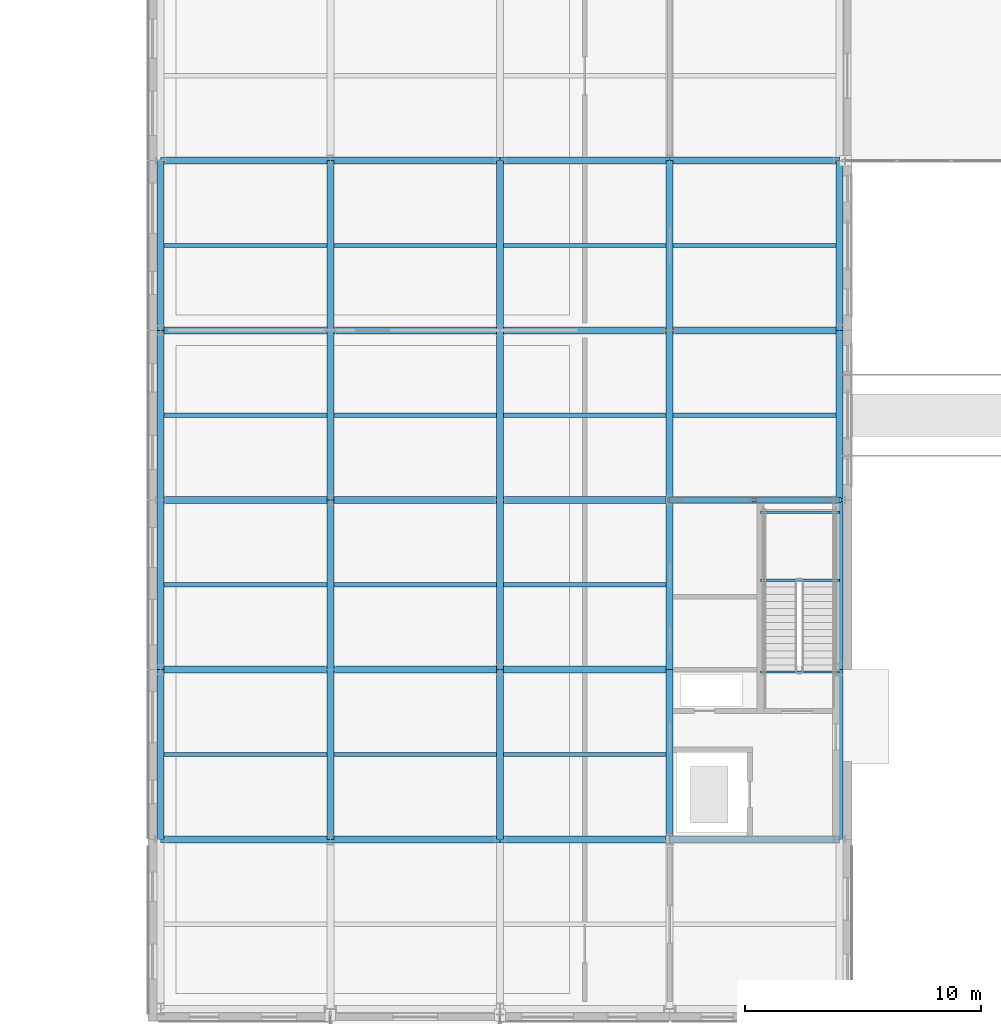
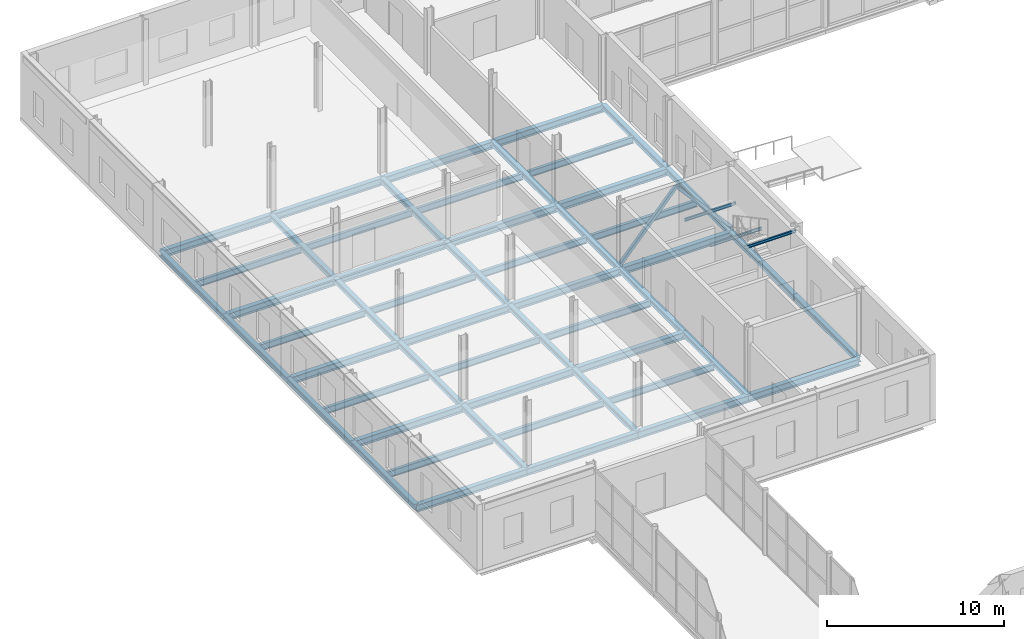
# One storey, part 31 of 92: 56 beams, 2 members.
"""IFC4 building model written with IfcOpenShell, lengths in metres."""

from ifc_helpers import new_model, si_unit, direction, frame, origin, origin_2d, place, context, subcontext, project, spatial, hollow_rectangle, i_section, extrude, material, material_profile, profile_set, type_object, element, save


model = new_model("IFC4")

# Units and contexts
model_context = context("Model", 3, precision=1e-05, world=origin(), true_north=direction((0.0, 1.0)))
body_context = subcontext(model_context, "Body", "Model", "MODEL_VIEW")
ifc_project = project(units=[si_unit("LENGTHUNIT", "METRE"), si_unit("AREAUNIT", "SQUARE_METRE"), si_unit("VOLUMEUNIT", "CUBIC_METRE"), si_unit("PLANEANGLEUNIT", "RADIAN"), si_unit("MASSUNIT", "GRAM", prefix="KILO")], contexts=[model_context])

# Site, building, storey
site_placement = place(None, origin())
site = spatial("IfcSite", under=ifc_project, at=site_placement, CompositionType="ELEMENT")
building_placement = place(site_placement, origin())
building = spatial("IfcBuilding", under=site, at=building_placement, Name="Zlatovets Crest Museum", CompositionType="ELEMENT")
storey_placement = place(building_placement, origin())
storey = spatial("IfcBuildingStorey", under=building, at=storey_placement, Name="L00", CompositionType="ELEMENT", Elevation=0.0)

# Beams
ifc_material = material(Name="Structural steel S355J2", Category="steel")
ifc_material_profile_1 = material_profile(ifc_material, i_section(OverallWidth=0.300048828125, OverallDepth=0.489990234375, WebThickness=0.011962890625, FlangeThickness=0.02294921875, FilletRadius=0.027099609375, at=origin_2d()), Name="HEA 500")
ifc_profile_set_1 = profile_set([ifc_material_profile_1], Name="Structural steel S355J2")
beam_type_1 = type_object("IfcBeamType", Name="Beam_B-01", PredefinedType="BEAM", material=ifc_profile_set_1)
beam_1_placement = place(storey_placement, frame((7.199951171875, 57.60009765625, -0.4951171875), z_axis=(1.0, 0.0, 0.0), x_axis=(0.0, 1.0, 0.0)))
element("IfcBeam", 1, at=beam_1_placement, inside=storey, type_object=beam_type_1, Name="V4 L00 Primary Girder B-01", PredefinedType="BEAM", context=body_context, shape_type="SweptSolid", body=[
    extrude(i_section(OverallWidth=0.300048828125, OverallDepth=0.489990234375, WebThickness=0.011962890625, FlangeThickness=0.02294921875, FilletRadius=0.027099609375, at=origin_2d()), origin(), (0.0, 0.0, 1.0), 7.199951171875),
])
beam_2_placement = place(storey_placement, frame((14.39990234375, 57.60009765625, -0.4951171875), z_axis=(1.0, 0.0, 0.0), x_axis=(0.0, 1.0, 0.0)))
element("IfcBeam", 2, at=beam_2_placement, inside=storey, type_object=beam_type_1, Name="V4 L00 Primary Girder B-01", PredefinedType="BEAM", context=body_context, shape_type="SweptSolid", body=[
    extrude(i_section(OverallWidth=0.300048828125, OverallDepth=0.489990234375, WebThickness=0.011962890625, FlangeThickness=0.02294921875, FilletRadius=0.027099609375, at=origin_2d()), origin(), (0.0, 0.0, 1.0), 7.2001953125),
])
for number, where, z_axis, x_axis, name in (
    (3, (21.60009765625, 57.60009765625, -0.4951171875), (1.0, 0.0, 0.0), (0.0, 1.0, 0.0), "V4 L00 Primary Girder B-01"),
    (4, (28.800048828125, 57.60009765625, -0.4951171875), (1.0, 0.0, 0.0), (0.0, 1.0, 0.0), "V4 L00 Primary Girder B-01"),
    (5, (7.199951171875, 64.800048828125, -0.4951171875), (1.0, 0.0, 0.0), (0.0, 1.0, 0.0), "V4 L00 Primary Girder B-01"),
):
    element("IfcBeam", number, at=place(storey_placement, frame(where, z_axis=z_axis, x_axis=x_axis)), inside=storey, type_object=beam_type_1, Name=name, PredefinedType="BEAM", context=body_context, shape_type="SweptSolid", body=[
        extrude(i_section(OverallWidth=0.300048828125, OverallDepth=0.489990234375, WebThickness=0.011962890625, FlangeThickness=0.02294921875, FilletRadius=0.027099609375, at=origin_2d()), origin(), (0.0, 0.0, 1.0), 7.199951171875),
    ])
beam_3_placement = place(storey_placement, frame((14.39990234375, 64.800048828125, -0.4951171875), z_axis=(1.0, 0.0, 0.0), x_axis=(0.0, 1.0, 0.0)))
element("IfcBeam", 6, at=beam_3_placement, inside=storey, type_object=beam_type_1, Name="V4 L00 Primary Girder B-01", PredefinedType="BEAM", context=body_context, shape_type="SweptSolid", body=[
    extrude(i_section(OverallWidth=0.300048828125, OverallDepth=0.489990234375, WebThickness=0.011962890625, FlangeThickness=0.02294921875, FilletRadius=0.027099609375, at=origin_2d()), origin(), (0.0, 0.0, 1.0), 7.2001953125),
])
for number, where, z_axis, x_axis, name in (
    (7, (21.60009765625, 64.800048828125, -0.4951171875), (1.0, 0.0, 0.0), (0.0, 1.0, 0.0), "V4 L00 Primary Girder B-01"),
    (8, (7.199951171875, 72.0, -0.4951171875), (1.0, 0.0, 0.0), (0.0, 1.0, 0.0), "V4 L00 Primary Girder B-01"),
):
    element("IfcBeam", number, at=place(storey_placement, frame(where, z_axis=z_axis, x_axis=x_axis)), inside=storey, type_object=beam_type_1, Name=name, PredefinedType="BEAM", context=body_context, shape_type="SweptSolid", body=[
        extrude(i_section(OverallWidth=0.300048828125, OverallDepth=0.489990234375, WebThickness=0.011962890625, FlangeThickness=0.02294921875, FilletRadius=0.027099609375, at=origin_2d()), origin(), (0.0, 0.0, 1.0), 7.199951171875),
    ])
beam_4_placement = place(storey_placement, frame((14.39990234375, 72.0, -0.4951171875), z_axis=(1.0, 0.0, 0.0), x_axis=(0.0, 1.0, 0.0)))
element("IfcBeam", 9, at=beam_4_placement, inside=storey, type_object=beam_type_1, Name="V4 L00 Primary Girder B-01", PredefinedType="BEAM", context=body_context, shape_type="SweptSolid", body=[
    extrude(i_section(OverallWidth=0.300048828125, OverallDepth=0.489990234375, WebThickness=0.011962890625, FlangeThickness=0.02294921875, FilletRadius=0.027099609375, at=origin_2d()), origin(), (0.0, 0.0, 1.0), 7.2001953125),
])
for number, where, z_axis, x_axis, name in (
    (10, (21.60009765625, 72.0, -0.4951171875), (1.0, 0.0, 0.0), (0.0, 1.0, 0.0), "V4 L00 Primary Girder B-01"),
    (11, (28.800048828125, 72.0, -0.4951171875), (1.0, 0.0, 0.0), (0.0, 1.0, 0.0), "V4 L00 Primary Girder B-01"),
    (12, (7.199951171875, 79.199951171875, -0.4951171875), (1.0, 0.0, 0.0), (0.0, 1.0, 0.0), "V4 L00 Primary Girder B-01"),
):
    element("IfcBeam", number, at=place(storey_placement, frame(where, z_axis=z_axis, x_axis=x_axis)), inside=storey, type_object=beam_type_1, Name=name, PredefinedType="BEAM", context=body_context, shape_type="SweptSolid", body=[
        extrude(i_section(OverallWidth=0.300048828125, OverallDepth=0.489990234375, WebThickness=0.011962890625, FlangeThickness=0.02294921875, FilletRadius=0.027099609375, at=origin_2d()), origin(), (0.0, 0.0, 1.0), 7.199951171875),
    ])
beam_5_placement = place(storey_placement, frame((14.39990234375, 79.199951171875, -0.4951171875), z_axis=(1.0, 0.0, 0.0), x_axis=(0.0, 1.0, 0.0)))
element("IfcBeam", 13, at=beam_5_placement, inside=storey, type_object=beam_type_1, Name="V4 L00 Primary Girder B-01", PredefinedType="BEAM", context=body_context, shape_type="SweptSolid", body=[
    extrude(i_section(OverallWidth=0.300048828125, OverallDepth=0.489990234375, WebThickness=0.011962890625, FlangeThickness=0.02294921875, FilletRadius=0.027099609375, at=origin_2d()), origin(), (0.0, 0.0, 1.0), 7.2001953125),
])
for number, where, z_axis, x_axis, name in (
    (14, (21.60009765625, 79.199951171875, -0.4951171875), (1.0, 0.0, 0.0), (0.0, 1.0, 0.0), "V4 L00 Primary Girder B-01"),
    (15, (28.800048828125, 79.199951171875, -0.4951171875), (1.0, 0.0, 0.0), (0.0, 1.0, 0.0), "V4 L00 Primary Girder B-01"),
    (16, (7.199951171875, 86.39990234375, -0.4951171875), (1.0, 0.0, 0.0), (0.0, 1.0, 0.0), "V4 L00 Primary Girder B-01"),
):
    element("IfcBeam", number, at=place(storey_placement, frame(where, z_axis=z_axis, x_axis=x_axis)), inside=storey, type_object=beam_type_1, Name=name, PredefinedType="BEAM", context=body_context, shape_type="SweptSolid", body=[
        extrude(i_section(OverallWidth=0.300048828125, OverallDepth=0.489990234375, WebThickness=0.011962890625, FlangeThickness=0.02294921875, FilletRadius=0.027099609375, at=origin_2d()), origin(), (0.0, 0.0, 1.0), 7.199951171875),
    ])
beam_6_placement = place(storey_placement, frame((14.39990234375, 86.39990234375, -0.4951171875), z_axis=(1.0, 0.0, 0.0), x_axis=(0.0, 1.0, 0.0)))
element("IfcBeam", 17, at=beam_6_placement, inside=storey, type_object=beam_type_1, Name="V4 L00 Primary Girder B-01", PredefinedType="BEAM", context=body_context, shape_type="SweptSolid", body=[
    extrude(i_section(OverallWidth=0.300048828125, OverallDepth=0.489990234375, WebThickness=0.011962890625, FlangeThickness=0.02294921875, FilletRadius=0.027099609375, at=origin_2d()), origin(), (0.0, 0.0, 1.0), 7.2001953125),
])
for number, where, z_axis, x_axis, name in (
    (18, (21.60009765625, 86.39990234375, -0.4951171875), (1.0, 0.0, 0.0), (0.0, 1.0, 0.0), "V4 L00 Primary Girder B-01"),
    (19, (28.800048828125, 86.39990234375, -0.4951171875), (1.0, 0.0, 0.0), (0.0, 1.0, 0.0), "V4 L00 Primary Girder B-01"),
):
    element("IfcBeam", number, at=place(storey_placement, frame(where, z_axis=z_axis, x_axis=x_axis)), inside=storey, type_object=beam_type_1, Name=name, PredefinedType="BEAM", context=body_context, shape_type="SweptSolid", body=[
        extrude(i_section(OverallWidth=0.300048828125, OverallDepth=0.489990234375, WebThickness=0.011962890625, FlangeThickness=0.02294921875, FilletRadius=0.027099609375, at=origin_2d()), origin(), (0.0, 0.0, 1.0), 7.199951171875),
    ])
ifc_material_profile_2 = material_profile(ifc_material, i_section(OverallWidth=0.300048828125, OverallDepth=0.35009765625, WebThickness=0.010009765625, FlangeThickness=0.017578125, FilletRadius=0.027099609375, at=origin_2d()), Name="HEA 360")
ifc_profile_set_2 = profile_set([ifc_material_profile_2], Name="Structural steel S355J2")
beam_type_2 = type_object("IfcBeamType", Name="Beam_B-03", PredefinedType="BEAM", material=ifc_profile_set_2)
for number, where, z_axis, x_axis, name in (
    (20, (7.199951171875, 57.60009765625, -0.425048828125), (0.0, 1.0, 0.0), (-1.0, 0.0, 0.0), "V4 L00 Grid Beam B-03"),
    (21, (7.199951171875, 64.800048828125, -0.425048828125), (0.0, 1.0, 0.0), (-1.0, 0.0, 0.0), "V4 L00 Grid Beam B-03"),
    (22, (7.199951171875, 72.0, -0.425048828125), (0.0, 1.0, 0.0), (-1.0, 0.0, 0.0), "V4 L00 Grid Beam B-03"),
    (23, (7.199951171875, 79.199951171875, -0.425048828125), (0.0, 1.0, 0.0), (-1.0, 0.0, 0.0), "V4 L00 Grid Beam B-03"),
    (24, (14.39990234375, 57.60009765625, -0.425048828125), (0.0, 1.0, 0.0), (-1.0, 0.0, 0.0), "V4 L00 Grid Beam B-03"),
    (25, (14.39990234375, 64.800048828125, -0.425048828125), (0.0, 1.0, 0.0), (-1.0, 0.0, 0.0), "V4 L00 Grid Beam B-03"),
    (26, (14.39990234375, 72.0, -0.425048828125), (0.0, 1.0, 0.0), (-1.0, 0.0, 0.0), "V4 L00 Grid Beam B-03"),
    (27, (14.39990234375, 79.199951171875, -0.425048828125), (0.0, 1.0, 0.0), (-1.0, 0.0, 0.0), "V4 L00 Grid Beam B-03"),
    (28, (21.60009765625, 57.60009765625, -0.425048828125), (0.0, 1.0, 0.0), (-1.0, 0.0, 0.0), "V4 L00 Grid Beam B-03"),
    (29, (21.60009765625, 64.800048828125, -0.425048828125), (0.0, 1.0, 0.0), (-1.0, 0.0, 0.0), "V4 L00 Grid Beam B-03"),
    (30, (21.60009765625, 72.0, -0.425048828125), (0.0, 1.0, 0.0), (-1.0, 0.0, 0.0), "V4 L00 Grid Beam B-03"),
    (31, (21.60009765625, 79.199951171875, -0.425048828125), (0.0, 1.0, 0.0), (-1.0, 0.0, 0.0), "V4 L00 Grid Beam B-03"),
    (32, (28.800048828125, 57.60009765625, -0.425048828125), (0.0, 1.0, 0.0), (-1.0, 0.0, 0.0), "V4 L00 Grid Beam B-03"),
    (33, (28.800048828125, 64.800048828125, -0.425048828125), (0.0, 1.0, 0.0), (-1.0, 0.0, 0.0), "V4 L00 Grid Beam B-03"),
    (34, (28.800048828125, 72.0, -0.425048828125), (0.0, 1.0, 0.0), (-1.0, 0.0, 0.0), "V4 L00 Grid Beam B-03"),
    (35, (28.800048828125, 79.199951171875, -0.425048828125), (0.0, 1.0, 0.0), (-1.0, 0.0, 0.0), "V4 L00 Grid Beam B-03"),
    (36, (36.0, 57.60009765625, -0.425048828125), (0.0, 1.0, 0.0), (-1.0, 0.0, 0.0), "V4 L00 Grid Beam B-03"),
    (37, (36.0, 64.800048828125, -0.425048828125), (0.0, 1.0, 0.0), (-1.0, 0.0, 0.0), "V4 L00 Grid Beam B-03"),
    (38, (36.0, 72.0, -0.425048828125), (0.0, 1.0, 0.0), (-1.0, 0.0, 0.0), "V4 L00 Grid Beam B-03"),
    (39, (36.0, 79.199951171875, -0.425048828125), (0.0, 1.0, 0.0), (-1.0, 0.0, 0.0), "V4 L00 Grid Beam B-03"),
):
    element("IfcBeam", number, at=place(storey_placement, frame(where, z_axis=z_axis, x_axis=x_axis)), inside=storey, type_object=beam_type_2, Name=name, PredefinedType="BEAM", context=body_context, shape_type="SweptSolid", body=[
        extrude(i_section(OverallWidth=0.300048828125, OverallDepth=0.35009765625, WebThickness=0.010009765625, FlangeThickness=0.017578125, FilletRadius=0.027099609375, at=origin_2d()), origin(), (0.0, 0.0, 1.0), 7.199951171875),
    ])
ifc_material_profile_3 = material_profile(ifc_material, i_section(OverallWidth=0.18994140625, OverallDepth=0.449951171875, WebThickness=0.009521484375, FlangeThickness=0.0146484375, FilletRadius=0.02099609375, at=origin_2d()), Name="IPE 450")
ifc_profile_set_3 = profile_set([ifc_material_profile_3], Name="Structural steel S355J2")
beam_type_3 = type_object("IfcBeamType", Name="Beam_J-05", PredefinedType="JOIST", material=ifc_profile_set_3)
for number, where, z_axis, x_axis, name in (
    (40, (7.35009765625, 61.199951171875, -0.47509765625), (1.0, 0.0, 0.0), (0.0, 1.0, 0.0), "V4 L00 Composite Joist J-05"),
    (41, (7.35009765625, 68.39990234375, -0.47509765625), (1.0, 0.0, 0.0), (0.0, 1.0, 0.0), "V4 L00 Composite Joist J-05"),
    (42, (7.35009765625, 75.60009765625, -0.47509765625), (1.0, 0.0, 0.0), (0.0, 1.0, 0.0), "V4 L00 Composite Joist J-05"),
    (43, (7.35009765625, 82.800048828125, -0.47509765625), (1.0, 0.0, 0.0), (0.0, 1.0, 0.0), "V4 L00 Composite Joist J-05"),
    (44, (14.550048828125, 61.199951171875, -0.47509765625), (1.0, 0.0, 0.0), (0.0, 1.0, 0.0), "V4 L00 Composite Joist J-05"),
    (45, (14.550048828125, 68.39990234375, -0.47509765625), (1.0, 0.0, 0.0), (0.0, 1.0, 0.0), "V4 L00 Composite Joist J-05"),
    (46, (14.550048828125, 75.60009765625, -0.47509765625), (1.0, 0.0, 0.0), (0.0, 1.0, 0.0), "V4 L00 Composite Joist J-05"),
    (47, (14.550048828125, 82.800048828125, -0.47509765625), (1.0, 0.0, 0.0), (0.0, 1.0, 0.0), "V4 L00 Composite Joist J-05"),
    (48, (21.75, 61.199951171875, -0.47509765625), (1.0, 0.0, 0.0), (0.0, 1.0, 0.0), "V4 L00 Composite Joist J-05"),
    (49, (21.75, 68.39990234375, -0.47509765625), (1.0, 0.0, 0.0), (0.0, 1.0, 0.0), "V4 L00 Composite Joist J-05"),
    (50, (21.75, 75.60009765625, -0.47509765625), (1.0, 0.0, 0.0), (0.0, 1.0, 0.0), "V4 L00 Composite Joist J-05"),
    (51, (21.75, 82.800048828125, -0.47509765625), (1.0, 0.0, 0.0), (0.0, 1.0, 0.0), "V4 L00 Composite Joist J-05"),
):
    element("IfcBeam", number, at=place(storey_placement, frame(where, z_axis=z_axis, x_axis=x_axis)), inside=storey, type_object=beam_type_3, Name=name, PredefinedType="JOIST", context=body_context, shape_type="SweptSolid", body=[
        extrude(i_section(OverallWidth=0.18994140625, OverallDepth=0.449951171875, WebThickness=0.009521484375, FlangeThickness=0.0146484375, FilletRadius=0.02099609375, at=origin_2d()), origin(), (0.0, 0.0, 1.0), 6.89990234375),
    ])
for number, where, z_axis, x_axis, name in (
    (52, (28.949951171875, 75.60009765625, -0.47509765625), (1.0, 0.0, 0.0), (0.0, 1.0, 0.0), "V4 L00 Composite Joist J-05"),
    (53, (28.949951171875, 82.800048828125, -0.47509765625), (1.0, 0.0, 0.0), (0.0, 1.0, 0.0), "V4 L00 Composite Joist J-05"),
):
    element("IfcBeam", number, at=place(storey_placement, frame(where, z_axis=z_axis, x_axis=x_axis)), inside=storey, type_object=beam_type_3, Name=name, PredefinedType="JOIST", context=body_context, shape_type="SweptSolid", body=[
        extrude(i_section(OverallWidth=0.18994140625, OverallDepth=0.449951171875, WebThickness=0.009521484375, FlangeThickness=0.0146484375, FilletRadius=0.02099609375, at=origin_2d()), origin(), (0.0, 0.0, 1.0), 6.900146484375),
    ])
ifc_material_profile_4 = material_profile(ifc_material, i_section(OverallWidth=0.10009765625, OverallDepth=0.199951171875, WebThickness=0.005615234375, FlangeThickness=0.008544921875, FilletRadius=0.011962890625, at=origin_2d()), Name="IPE 200")
ifc_profile_set_4 = profile_set([ifc_material_profile_4], Name="Structural steel S355J2")
beam_type_4 = type_object("IfcBeamType", Name="Beam_PR-02", PredefinedType="LINTEL", material=ifc_profile_set_4)
for number, where, z_axis, x_axis, name in (
    (54, (32.64990234375, 64.699951171875, 4.159912109375), (1.0, 0.0, 0.0), (0.0, 1.0, 0.0), "Core C4 L00 Stair Well Header Beam"),
    (55, (32.64990234375, 68.60009765625, 1.949951171875), (1.0, 0.0, 0.0), (0.0, 1.0, 0.0), "Core C4 L00 Half-Landing Support Beam"),
    (56, (32.64990234375, 71.47998046875, 1.949951171875), (1.0, 0.0, 0.0), (0.0, 1.0, 0.0), "Core C4 L00 Half-Landing Support Beam"),
):
    element("IfcBeam", number, at=place(storey_placement, frame(where, z_axis=z_axis, x_axis=x_axis)), inside=storey, type_object=beam_type_4, Name=name, PredefinedType="LINTEL", context=body_context, shape_type="SweptSolid", body=[
        extrude(i_section(OverallWidth=0.10009765625, OverallDepth=0.199951171875, WebThickness=0.005615234375, FlangeThickness=0.008544921875, FilletRadius=0.011962890625, at=origin_2d()), origin(), (0.0, 0.0, 1.0), 3.35009765625),
    ])

# Members
ifc_material_profile_5 = material_profile(ifc_material, hollow_rectangle(XDim=0.219970703125, YDim=0.219970703125, WallThickness=0.012451171875, InnerFilletRadius=0.012451171875, OuterFilletRadius=0.02490234375, at=origin_2d()), Name="SHS 220x220x12.5")
ifc_profile_set_5 = profile_set([ifc_material_profile_5], Name="Structural steel S355J2")
member_type = type_object("IfcMemberType", Name="Member_BR-07", PredefinedType="BRACE", material=ifc_profile_set_5)
for number, where, z_axis, x_axis, name in (
    (57, (28.800048828125, 72.0, 0.0), (0.664344262737, 0.0, 0.747426719196), (0.0, 1.0, 0.0), "V4 L00 Concentric Seismic Brace"),
    (58, (36.0, 72.0, 0.0), (-0.664369431748, 0.0, 0.747404347163), (0.0, -1.0, 0.0), "V4 L00 Concentric Seismic Brace"),
):
    element("IfcMember", number, at=place(storey_placement, frame(where, z_axis=z_axis, x_axis=x_axis)), inside=storey, type_object=member_type, Name=name, PredefinedType="BRACE", context=body_context, shape_type="SweptSolid", body=[
        extrude(hollow_rectangle(XDim=0.219970703125, YDim=0.219970703125, WallThickness=0.012451171875, InnerFilletRadius=0.012451171875, OuterFilletRadius=0.02490234375, at=origin_2d()), origin(), (0.0, 0.0, 1.0), 5.418701171875),
    ])

save(model, "model.ifc")
